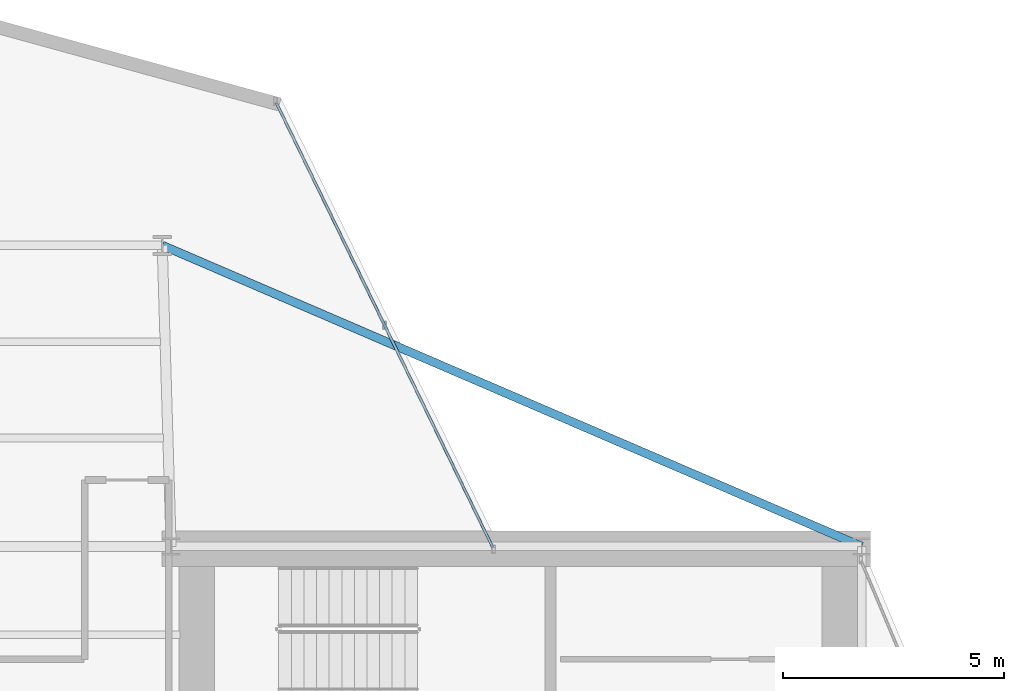
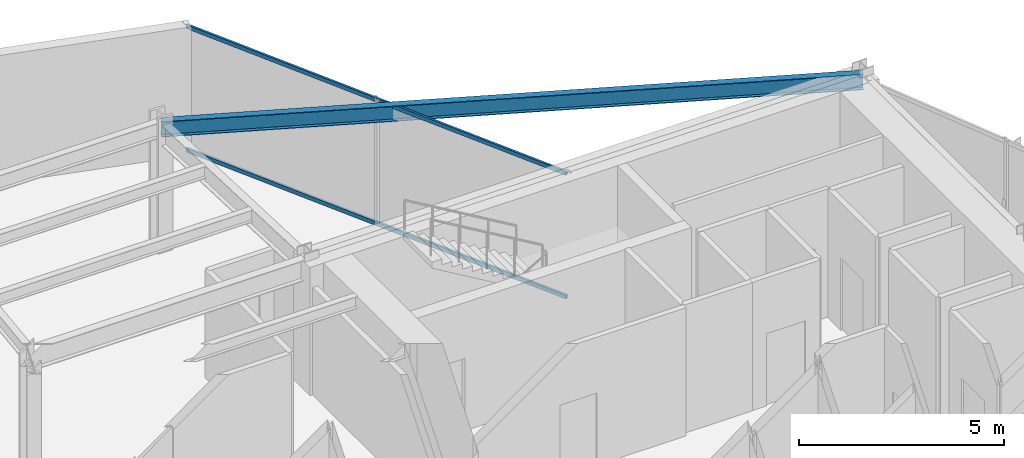
# One storey, part 16 of 25: 2 members, 1 beam, 1 element without a shape of its own.
"""IFC4 building model written with IfcOpenShell, lengths in metres."""

from ifc_helpers import new_model, si_unit, direction, frame, origin, origin_2d, place, context, subcontext, project, spatial, hollow_rectangle, i_section, extrude, material, layer, layer_set, material_profile, profile_set, type_object, element, aggregate, save


model = new_model("IFC4")

# Units and contexts
model_context = context("Model", 3, precision=1e-05, world=origin(), true_north=direction((0.0, 1.0)))
body_context = subcontext(model_context, "Body", "Model", "MODEL_VIEW")
ifc_project = project(units=[si_unit("LENGTHUNIT", "METRE"), si_unit("AREAUNIT", "SQUARE_METRE"), si_unit("VOLUMEUNIT", "CUBIC_METRE"), si_unit("PLANEANGLEUNIT", "RADIAN"), si_unit("MASSUNIT", "GRAM", prefix="KILO")], contexts=[model_context])

# Site, building, storey
site_placement = place(None, origin())
site = spatial("IfcSite", under=ifc_project, at=site_placement, CompositionType="ELEMENT")
building_placement = place(site_placement, origin())
building = spatial("IfcBuilding", under=site, at=building_placement, Name="Veymaron Broadcast Tower", CompositionType="ELEMENT")
storey_placement = place(building_placement, frame((0.0, 0.0, 116.85009765625)))
storey = spatial("IfcBuildingStorey", under=building, at=storey_placement, Name="L26", CompositionType="ELEMENT", Elevation=116.85009765625)

# Beam
ifc_material_1 = material(Name="Structural steel ASTM A992 Gr 50", Category="steel")
ifc_material_profile_1 = material_profile(ifc_material_1, i_section(OverallWidth=0.19091796875, OverallDepth=0.4599609375, WebThickness=0.010009765625, FlangeThickness=0.01611328125, at=origin_2d()), Name="W460X82")
ifc_profile_set_1 = profile_set([ifc_material_profile_1], Name="Structural steel ASTM A992 Gr 50")
beam_type = type_object("IfcBeamType", Name="BM-SP1", PredefinedType="SPANDREL", material=ifc_profile_set_1)
beam_placement = place(storey_placement, frame((54.60009765625, 32.0, 3.579833984375), z_axis=(-0.918541968862, 0.395323476964, 0.0), x_axis=(-0.395323476964, -0.918541968862, 0.0)))
element("IfcBeam", 1, at=beam_placement, inside=storey, type_object=beam_type, Name="L26 primary structural floor girder", PredefinedType="SPANDREL", context=body_context, shape_type="SweptSolid", body=[
    extrude(i_section(OverallWidth=0.19091796875, OverallDepth=0.4599609375, WebThickness=0.010009765625, FlangeThickness=0.01611328125, at=origin_2d()), origin(), (0.0, 0.0, 1.0), 17.201171875),
])

# Curtain wall, members
ifc_material_2 = material(Name="Anodised aluminium AA 6063-T6 and laminated low-E dark glass", Category="aluminium")
ifc_layer = layer(ifc_material_2, 0.179931640625)
ifc_layer_set = layer_set([ifc_layer], Name="Anodised aluminium AA 6063-T6 and laminated low-E dark glass")
curtain_wall_type = type_object("IfcCurtainWallType", Name="CW-SYS-03", PredefinedType="NOTDEFINED", material=ifc_layer_set)
curtain_wall_placement = place(storey_placement, origin())
curtain_wall = element("IfcCurtainWall", 2, at=curtain_wall_placement, inside=storey, type_object=curtain_wall_type, Name="L26 dark-glass curtain wall CW-L26-E5-1", PredefinedType="NOTDEFINED")
ifc_material_3 = material(Name="Anodised aluminium AA 6063-T6", Category="aluminium")
ifc_material_profile_2 = material_profile(ifc_material_3, hollow_rectangle(XDim=0.06005859375, YDim=0.1201171875, WallThickness=0.00390625, at=origin_2d()), Name="AL120X60X4")
ifc_profile_set_2 = profile_set([ifc_material_profile_2], Name="Anodised aluminium AA 6063-T6")
member_type = type_object("IfcMemberType", Name="CW-TRN-02", PredefinedType="USERDEFINED", material=ifc_profile_set_2)
member_1_placement = place(storey_placement, frame((46.2626953125, 31.983642578125, 0.06982421875), z_axis=(-0.43783155642, 0.899057021663, 0.0), x_axis=(-0.899057021663, -0.43783155642, 0.0)))
member_1 = element("IfcMember", 3, at=member_1_placement, type_object=member_type, Name="CW-L26-E5-1 transom B", ObjectType="TRANSOM", PredefinedType="USERDEFINED", context=body_context, shape_type="SweptSolid", body=[
    extrude(hollow_rectangle(XDim=0.06005859375, YDim=0.1201171875, WallThickness=0.00390625, at=origin_2d()), origin(), (0.0, 0.0, 1.0), 11.15625),
])
member_2_placement = place(storey_placement, frame((46.2626953125, 31.983642578125, 3.739990234375), z_axis=(-0.43783155642, 0.899057021663, 0.0), x_axis=(-0.899057021663, -0.43783155642, 0.0)))
member_2 = element("IfcMember", 4, at=member_2_placement, type_object=member_type, Name="CW-L26-E5-1 transom T", ObjectType="TRANSOM", PredefinedType="USERDEFINED", context=body_context, shape_type="SweptSolid", body=[
    extrude(hollow_rectangle(XDim=0.06005859375, YDim=0.1201171875, WallThickness=0.00390625, at=origin_2d()), origin(), (0.0, 0.0, 1.0), 11.15625),
])
aggregate(curtain_wall, [member_1, member_2])

save(model, "model.ifc")
